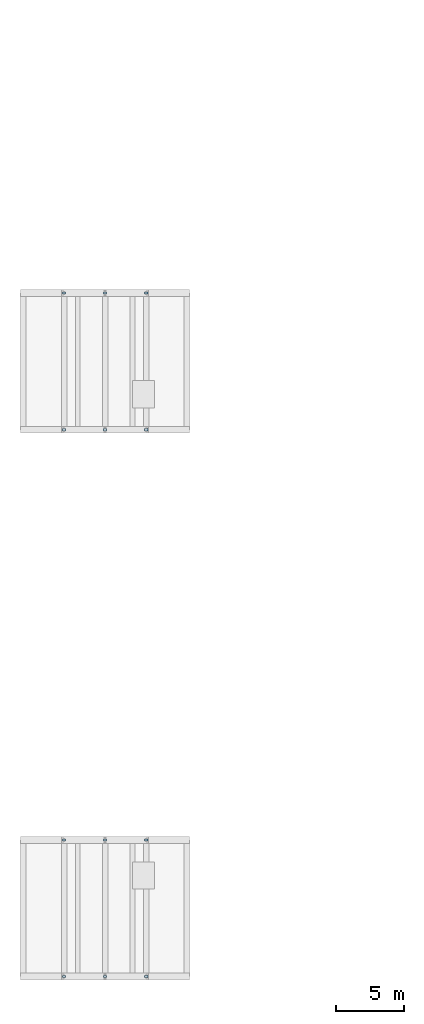
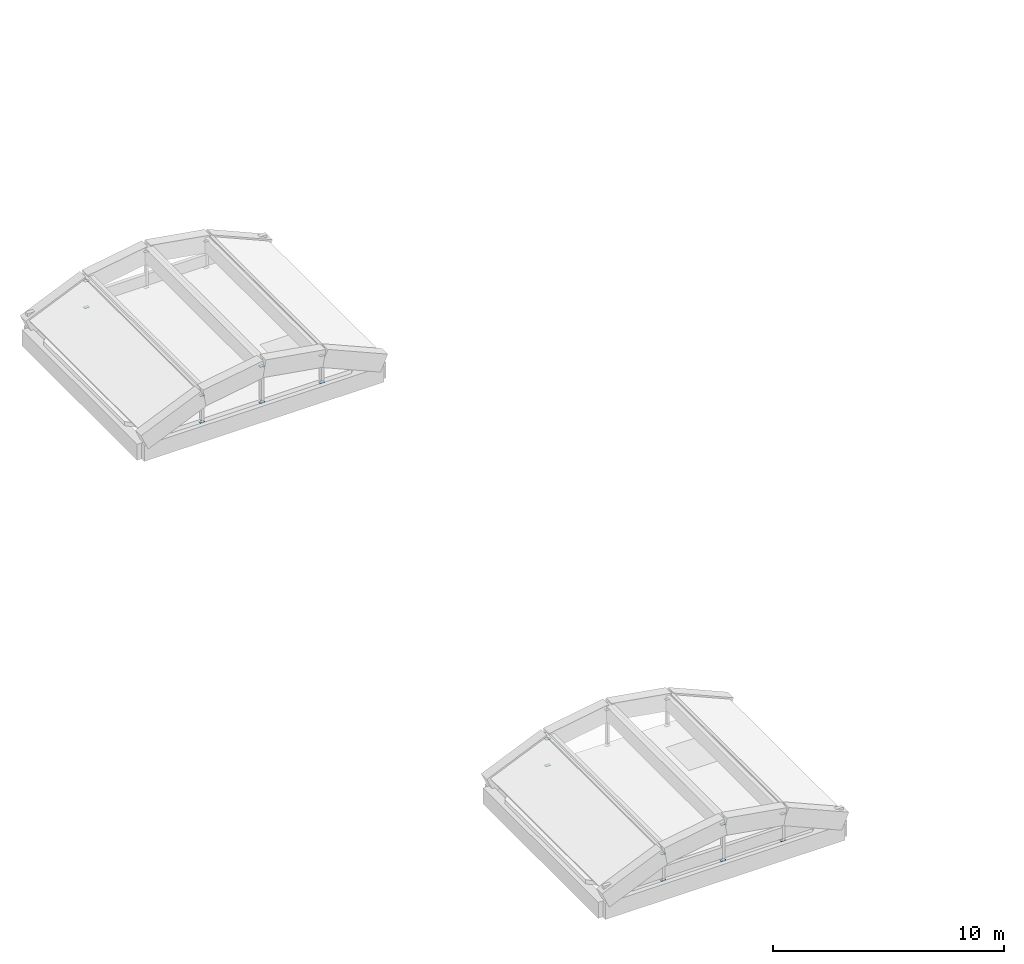
# One storey, part 74 of 82: 24 plates.
"""IFC4 building model written with IfcOpenShell, lengths in metres."""

from ifc_helpers import new_model, si_unit, direction, frame, origin, origin_2d, place, context, subcontext, project, spatial, rectangle, extrude, material, layer, layer_set, type_object, element, save


model = new_model("IFC4")

# Units and contexts
model_context = context("Model", 3, precision=1e-05, world=origin(), true_north=direction((0.0, 1.0)))
body_context = subcontext(model_context, "Body", "Model", "MODEL_VIEW")
ifc_project = project(units=[si_unit("LENGTHUNIT", "METRE"), si_unit("AREAUNIT", "SQUARE_METRE"), si_unit("VOLUMEUNIT", "CUBIC_METRE"), si_unit("PLANEANGLEUNIT", "RADIAN"), si_unit("MASSUNIT", "GRAM", prefix="KILO")], contexts=[model_context])

# Site, building, storey
site_placement = place(None, origin())
site = spatial("IfcSite", under=ifc_project, at=site_placement, CompositionType="ELEMENT")
building_placement = place(site_placement, origin())
building = spatial("IfcBuilding", under=site, at=building_placement, Name="Mersad Railyard Sports Hall", CompositionType="ELEMENT")
storey_placement = place(building_placement, frame((0.0, 0.0, 13.199951171875)))
storey = spatial("IfcBuildingStorey", under=building, at=storey_placement, Name="L03", CompositionType="ELEMENT", Elevation=13.199951171875)

# Plates
ifc_material = material(Name="Steel S355", Category="steel")
ifc_layer = layer(ifc_material, 0.02001953125)
ifc_layer_set = layer_set([ifc_layer], Name="Steel S355")
plate_type = type_object("IfcPlateType", Name="STR-PL-KP03", PredefinedType="SHEET", material=ifc_layer_set)
for number, where, z_axis, x_axis, name in (
    (1, (10.0, 3.5, -0.159912109375), (0.0, 0.0, 1.0), (1.0, 0.0, 0.0), "End cap plate KP03-0259"),
    (2, (10.0, 3.5, 1.239990234375), (0.0, 0.0, 1.0), (1.0, 0.0, 0.0), "End cap plate KP03-0260"),
    (3, (13.0, 3.5, -0.159912109375), (0.0, 0.0, 1.0), (1.0, 0.0, 0.0), "End cap plate KP03-0261"),
    (4, (13.0, 3.5, 1.739990234375), (0.0, 0.0, 1.0), (1.0, 0.0, 0.0), "End cap plate KP03-0262"),
    (5, (16.0, 3.5, -0.159912109375), (0.0, 0.0, 1.0), (1.0, 0.0, 0.0), "End cap plate KP03-0263"),
    (6, (16.0, 3.5, 1.239990234375), (0.0, 0.0, 1.0), (1.0, 0.0, 0.0), "End cap plate KP03-0264"),
    (7, (10.0, 13.5, -0.159912109375), (0.0, 0.0, 1.0), (1.0, 0.0, 0.0), "End cap plate KP03-0265"),
    (8, (10.0, 13.5, 1.239990234375), (0.0, 0.0, 1.0), (1.0, 0.0, 0.0), "End cap plate KP03-0266"),
    (9, (13.0, 13.5, -0.159912109375), (0.0, 0.0, 1.0), (1.0, 0.0, 0.0), "End cap plate KP03-0267"),
    (10, (13.0, 13.5, 1.739990234375), (0.0, 0.0, 1.0), (1.0, 0.0, 0.0), "End cap plate KP03-0268"),
    (11, (16.0, 13.5, -0.159912109375), (0.0, 0.0, 1.0), (1.0, 0.0, 0.0), "End cap plate KP03-0269"),
    (12, (16.0, 13.5, 1.239990234375), (0.0, 0.0, 1.0), (1.0, 0.0, 0.0), "End cap plate KP03-0270"),
    (13, (10.0, 43.5, -0.159912109375), (0.0, 0.0, 1.0), (1.0, 0.0, 0.0), "End cap plate KP03-0283"),
    (14, (10.0, 43.5, 1.239990234375), (0.0, 0.0, 1.0), (1.0, 0.0, 0.0), "End cap plate KP03-0284"),
    (15, (13.0, 43.5, -0.159912109375), (0.0, 0.0, 1.0), (1.0, 0.0, 0.0), "End cap plate KP03-0285"),
    (16, (13.0, 43.5, 1.739990234375), (0.0, 0.0, 1.0), (1.0, 0.0, 0.0), "End cap plate KP03-0286"),
    (17, (16.0, 43.5, -0.159912109375), (0.0, 0.0, 1.0), (1.0, 0.0, 0.0), "End cap plate KP03-0287"),
    (18, (16.0, 43.5, 1.239990234375), (0.0, 0.0, 1.0), (1.0, 0.0, 0.0), "End cap plate KP03-0288"),
    (19, (10.0, 53.5, -0.159912109375), (0.0, 0.0, 1.0), (1.0, 0.0, 0.0), "End cap plate KP03-0289"),
    (20, (10.0, 53.5, 1.239990234375), (0.0, 0.0, 1.0), (1.0, 0.0, 0.0), "End cap plate KP03-0290"),
    (21, (13.0, 53.5, -0.159912109375), (0.0, 0.0, 1.0), (1.0, 0.0, 0.0), "End cap plate KP03-0291"),
    (22, (13.0, 53.5, 1.739990234375), (0.0, 0.0, 1.0), (1.0, 0.0, 0.0), "End cap plate KP03-0292"),
    (23, (16.0, 53.5, -0.159912109375), (0.0, 0.0, 1.0), (1.0, 0.0, 0.0), "End cap plate KP03-0293"),
    (24, (16.0, 53.5, 1.239990234375), (0.0, 0.0, 1.0), (1.0, 0.0, 0.0), "End cap plate KP03-0294"),
):
    element("IfcPlate", number, at=place(storey_placement, frame(where, z_axis=z_axis, x_axis=x_axis)), inside=storey, type_object=plate_type, Name=name, PredefinedType="SHEET", context=body_context, shape_type="SweptSolid", body=[
        extrude(rectangle(XDim=0.239990234375, YDim=0.159912109375, at=origin_2d()), origin(), (0.0, 0.0, 1.0), 0.02001953125),
    ])

save(model, "model.ifc")
